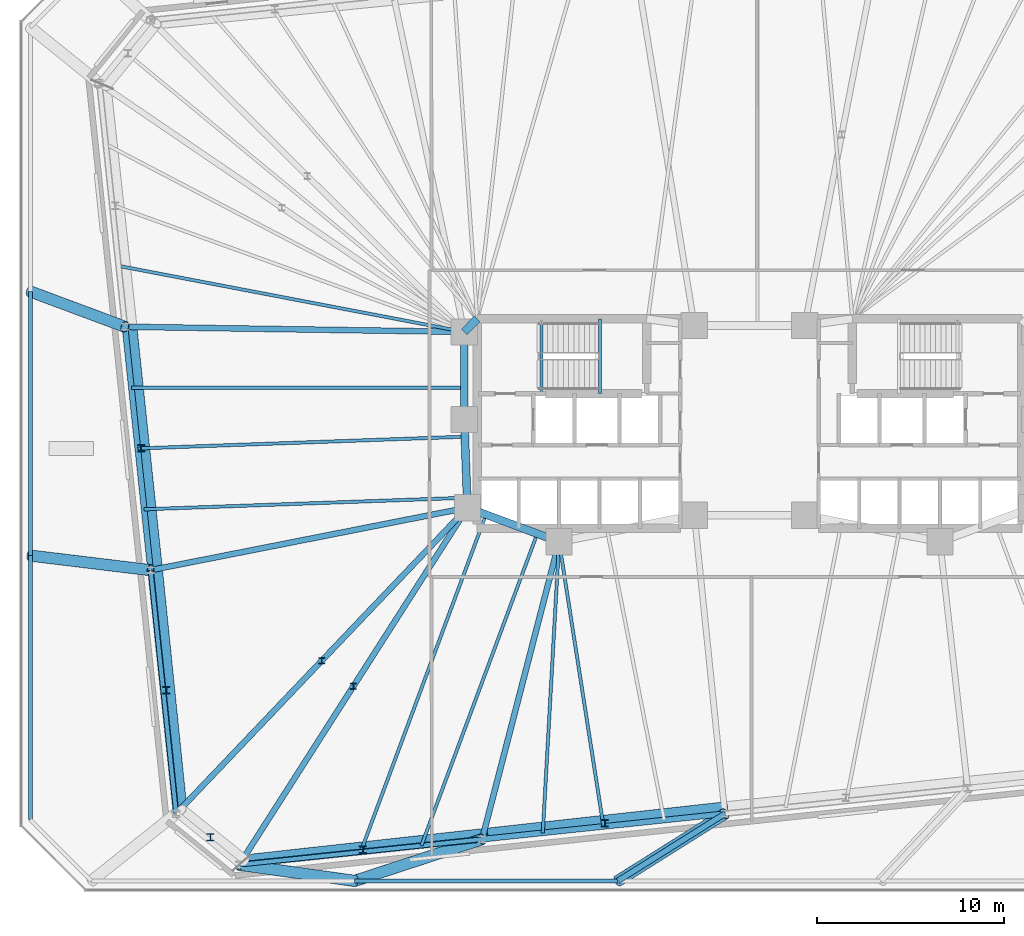
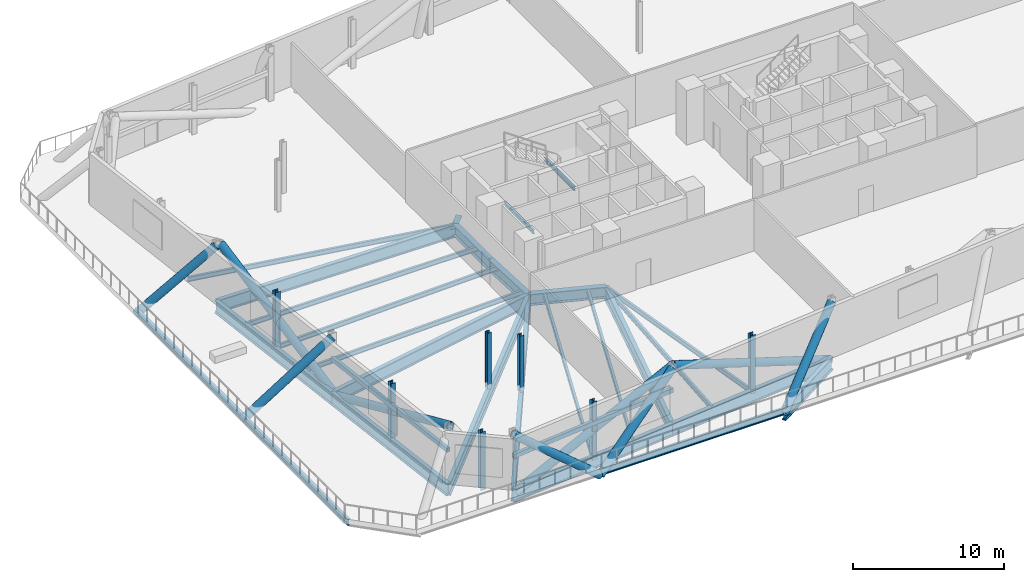
# One storey, part 6 of 17: 27 beams, 18 members.
"""IFC4 building model written with IfcOpenShell, lengths in metres."""

from ifc_helpers import new_model, si_unit, direction, frame, origin, origin_2d, place, context, subcontext, project, spatial, hollow_rectangle, hollow_circle, i_section, extrude, material, material_profile, profile_set, type_object, element, save


model = new_model("IFC4")

# Units and contexts
model_context = context("Model", 3, precision=1e-05, world=origin(), true_north=direction((0.0, 1.0)))
body_context = subcontext(model_context, "Body", "Model", "MODEL_VIEW")
ifc_project = project(units=[si_unit("LENGTHUNIT", "METRE"), si_unit("AREAUNIT", "SQUARE_METRE"), si_unit("VOLUMEUNIT", "CUBIC_METRE"), si_unit("PLANEANGLEUNIT", "RADIAN"), si_unit("MASSUNIT", "GRAM", prefix="KILO")], contexts=[model_context])

# Site, building, storey
site_placement = place(None, origin())
site = spatial("IfcSite", under=ifc_project, at=site_placement, CompositionType="ELEMENT")
building_placement = place(site_placement, origin())
building = spatial("IfcBuilding", under=site, at=building_placement, Name="Menara Jurai Vektor", CompositionType="ELEMENT")
storey_placement = place(building_placement, frame((0.0, 0.0, 78.800048828125)))
storey = spatial("IfcBuildingStorey", under=building, at=storey_placement, Name="L19", CompositionType="ELEMENT", Elevation=78.800048828125)

# Beams
ifc_material_1 = material(Name="Steel S355", Category="steel")
ifc_material_profile_1 = material_profile(ifc_material_1, i_section(OverallWidth=0.2109375, OverallDepth=0.5390625, WebThickness=0.011962890625, FlangeThickness=0.01904296875, FilletRadius=0.012939453125, at=origin_2d()), Name="UKB 533x210x109")
ifc_profile_set_1 = profile_set([ifc_material_profile_1], Name="Steel S355")
beam_type_1 = type_object("IfcBeamType", Name="STR-BM-533", PredefinedType="BEAM", material=ifc_profile_set_1)
beam_1_placement = place(storey_placement, frame((-21.106689453125, -24.449951171875, -0.674560546875), z_axis=(1.0, 0.0, 0.0), x_axis=(0.0, 1.0, 0.0)))
element("IfcBeam", 1, at=beam_1_placement, inside=storey, type_object=beam_type_1, Name="Step Terrace Edge Beam L19-02", PredefinedType="BEAM", context=body_context, shape_type="SweptSolid", body=[
    extrude(i_section(OverallWidth=0.2109375, OverallDepth=0.5390625, WebThickness=0.011962890625, FlangeThickness=0.01904296875, FilletRadius=0.012939453125, at=origin_2d()), origin(), (0.0, 0.0, 1.0), 14.071044921875),
])
beam_2_placement = place(storey_placement, frame((-38.449951171875, 7.059326171875, -0.674560546875), z_axis=(0.0, -1.0, 0.0), x_axis=(1.0, 0.0, 0.0)))
element("IfcBeam", 2, at=beam_2_placement, inside=storey, type_object=beam_type_1, Name="Step Terrace Edge Beam L19-18", PredefinedType="BEAM", context=body_context, shape_type="SweptSolid", body=[
    extrude(i_section(OverallWidth=0.2109375, OverallDepth=0.5390625, WebThickness=0.011962890625, FlangeThickness=0.01904296875, FilletRadius=0.012939453125, at=origin_2d()), origin(), (0.0, 0.0, 1.0), 14.11865234375),
])
beam_3_placement = place(storey_placement, frame((-38.449951171875, -7.059326171875, -0.674560546875), z_axis=(0.0, -1.0, 0.0), x_axis=(1.0, 0.0, 0.0)))
element("IfcBeam", 3, at=beam_3_placement, inside=storey, type_object=beam_type_1, Name="Step Terrace Edge Beam L19-19", PredefinedType="BEAM", context=body_context, shape_type="SweptSolid", body=[
    extrude(i_section(OverallWidth=0.2109375, OverallDepth=0.5390625, WebThickness=0.011962890625, FlangeThickness=0.01904296875, FilletRadius=0.012939453125, at=origin_2d()), origin(), (0.0, 0.0, 1.0), 14.118408203125),
])
ifc_material_2 = material(Name="Steel S460", Category="steel")
ifc_material_profile_2 = material_profile(ifc_material_2, i_section(OverallWidth=0.30908203125, OverallDepth=1.035888671875, WebThickness=0.030029296875, FlangeThickness=0.053955078125, FilletRadius=0.030029296875, at=origin_2d()), Name="UKB 1016x305x487")
ifc_profile_set_2 = profile_set([ifc_material_profile_2], Name="Steel S460")
beam_type_2 = type_object("IfcBeamType", Name="STR-BM-TR1016", PredefinedType="BEAM", material=ifc_profile_set_2)
beam_4_placement = place(storey_placement, frame((-27.2763671875, -23.586181640625, -0.923095703125), z_axis=(0.994521636083, 0.104530930169, 0.0), x_axis=(-0.104530930169, 0.994521636083, 0.0)))
element("IfcBeam", 4, at=beam_4_placement, inside=storey, type_object=beam_type_2, Name="Belt Truss Bottom Chord L19-01", PredefinedType="BEAM", context=body_context, shape_type="SweptSolid", body=[
    extrude(i_section(OverallWidth=0.30908203125, OverallDepth=1.035888671875, WebThickness=0.030029296875, FlangeThickness=0.053955078125, FilletRadius=0.030029296875, at=origin_2d()), origin(), (0.0, 0.0, 1.0), 13.05126953125),
])
beam_5_placement = place(storey_placement, frame((-27.2763671875, -23.586181640625, -0.923095703125), z_axis=(0.538462629542, 0.842649391258, 0.0), x_axis=(-0.842649391258, 0.538462629542, 0.0)))
element("IfcBeam", 5, at=beam_5_placement, inside=storey, type_object=beam_type_2, Name="Outrigger Transfer Girder L19-S1", PredefinedType="BEAM", context=body_context, shape_type="SweptSolid", body=[
    extrude(i_section(OverallWidth=0.30908203125, OverallDepth=1.035888671875, WebThickness=0.030029296875, FlangeThickness=0.053955078125, FilletRadius=0.030029296875, at=origin_2d()), origin(), (0.0, 0.0, 1.0), 22.650146484375),
])
beam_6_placement = place(storey_placement, frame((-14.296630859375, -22.221923828125, -0.923095703125), z_axis=(0.994523580592, 0.104512428191, 0.0), x_axis=(-0.104512428191, 0.994523580592, 0.0)))
element("IfcBeam", 6, at=beam_6_placement, inside=storey, type_object=beam_type_2, Name="Belt Truss Bottom Chord L19-02", PredefinedType="BEAM", context=body_context, shape_type="SweptSolid", body=[
    extrude(i_section(OverallWidth=0.30908203125, OverallDepth=1.035888671875, WebThickness=0.030029296875, FlangeThickness=0.053955078125, FilletRadius=0.030029296875, at=origin_2d()), origin(), (0.0, 0.0, 1.0), 13.05126953125),
])
beam_7_placement = place(storey_placement, frame((-14.296630859375, -22.221923828125, -0.923095703125), z_axis=(0.250619644892, 0.968085633399, 0.0), x_axis=(-0.968085633399, 0.250619644892, 0.0)))
element("IfcBeam", 7, at=beam_7_placement, inside=storey, type_object=beam_type_2, Name="Outrigger Transfer Girder L19-S2", PredefinedType="BEAM", context=body_context, shape_type="SweptSolid", body=[
    extrude(i_section(OverallWidth=0.30908203125, OverallDepth=1.035888671875, WebThickness=0.030029296875, FlangeThickness=0.053955078125, FilletRadius=0.030029296875, at=origin_2d()), origin(), (0.0, 0.0, 1.0), 16.426025390625),
])
beam_8_placement = place(storey_placement, frame((-7.03564453125, -24.449951171875, -0.923095703125), z_axis=(0.846810090059, 0.531895357541, 0.0), x_axis=(-0.531895357541, 0.846810090059, 0.0)))
element("IfcBeam", 8, at=beam_8_placement, inside=storey, type_object=beam_type_2, Name="Cantilever Transfer Girder L19-S3", PredefinedType="BEAM", context=body_context, shape_type="SweptSolid", body=[
    extrude(i_section(OverallWidth=0.30908203125, OverallDepth=1.035888671875, WebThickness=0.030029296875, FlangeThickness=0.053955078125, FilletRadius=0.030029296875, at=origin_2d()), origin(), (0.0, 0.0, 1.0), 6.753173828125),
])
beam_9_placement = place(storey_placement, frame((-33.38818359375, 5.175048828125, -0.923095703125), z_axis=(0.104521615846, -0.994522615037, 0.0), x_axis=(0.994522615037, 0.104521615846, 0.0)))
element("IfcBeam", 9, at=beam_9_placement, inside=storey, type_object=beam_type_2, Name="Belt Truss Bottom Chord L19-18", PredefinedType="BEAM", context=body_context, shape_type="SweptSolid", body=[
    extrude(i_section(OverallWidth=0.30908203125, OverallDepth=1.035888671875, WebThickness=0.030029296875, FlangeThickness=0.053955078125, FilletRadius=0.030029296875, at=origin_2d()), origin(), (0.0, 0.0, 1.0), 13.085205078125),
])
beam_10_placement = place(storey_placement, frame((-33.38818359375, 5.175048828125, -0.923095703125), z_axis=(0.999884963566, -0.015167716827, 0.0), x_axis=(0.015167716827, 0.999884963566, 0.0)))
element("IfcBeam", 10, at=beam_10_placement, inside=storey, type_object=beam_type_2, Name="Outrigger Transfer Girder L19-W2", PredefinedType="BEAM", context=body_context, shape_type="SweptSolid", body=[
    extrude(i_section(OverallWidth=0.30908203125, OverallDepth=1.035888671875, WebThickness=0.030029296875, FlangeThickness=0.053955078125, FilletRadius=0.030029296875, at=origin_2d()), origin(), (0.0, 0.0, 1.0), 18.140380859375),
])
beam_11_placement = place(storey_placement, frame((-32.0205078125, -7.83837890625, -0.923095703125), z_axis=(0.104519676409, -0.994522818865, 0.0), x_axis=(0.994522818865, 0.104519676409, 0.0)))
element("IfcBeam", 11, at=beam_11_placement, inside=storey, type_object=beam_type_2, Name="Belt Truss Bottom Chord L19-19", PredefinedType="BEAM", context=body_context, shape_type="SweptSolid", body=[
    extrude(i_section(OverallWidth=0.30908203125, OverallDepth=1.035888671875, WebThickness=0.030029296875, FlangeThickness=0.053955078125, FilletRadius=0.030029296875, at=origin_2d()), origin(), (0.0, 0.0, 1.0), 13.08544921875),
])
beam_12_placement = place(storey_placement, frame((-32.0205078125, -7.83837890625, -0.923095703125), z_axis=(0.98113039493, 0.193347221714, 0.0), x_axis=(-0.193347221714, 0.98113039493, 0.0)))
element("IfcBeam", 12, at=beam_12_placement, inside=storey, type_object=beam_type_2, Name="Outrigger Transfer Girder L19-W3", PredefinedType="BEAM", context=body_context, shape_type="SweptSolid", body=[
    extrude(i_section(OverallWidth=0.30908203125, OverallDepth=1.035888671875, WebThickness=0.030029296875, FlangeThickness=0.053955078125, FilletRadius=0.030029296875, at=origin_2d()), origin(), (0.0, 0.0, 1.0), 17.266357421875),
])
beam_13_placement = place(storey_placement, frame((-30.65283203125, -20.85205078125, -0.923095703125), z_axis=(0.689640593718, 0.724151815227, 0.0), x_axis=(-0.724151815227, 0.689640593718, 0.0)))
element("IfcBeam", 13, at=beam_13_placement, inside=storey, type_object=beam_type_2, Name="Outrigger Transfer Girder L19-W4", PredefinedType="BEAM", context=body_context, shape_type="SweptSolid", body=[
    extrude(i_section(OverallWidth=0.30908203125, OverallDepth=1.035888671875, WebThickness=0.030029296875, FlangeThickness=0.053955078125, FilletRadius=0.030029296875, at=origin_2d()), origin(), (0.0, 0.0, 1.0), 22.5810546875),
])
ifc_material_profile_3 = material_profile(ifc_material_2, i_section(OverallWidth=0.4208984375, OverallDepth=0.9208984375, WebThickness=0.02099609375, FlangeThickness=0.037109375, FilletRadius=0.02392578125, at=origin_2d()), Name="UKB 914x419x388")
ifc_profile_set_3 = profile_set([ifc_material_profile_3], Name="Steel S460")
beam_type_3 = type_object("IfcBeamType", Name="STR-BM-TR914", PredefinedType="BEAM", material=ifc_profile_set_3)
beam_14_placement = place(storey_placement, frame((-15.25, 4.89990234375, -0.865478515625), z_axis=(0.701871936926, 0.712303154672, 0.0), x_axis=(-0.712303154672, 0.701871936926, 0.0)))
element("IfcBeam", 14, at=beam_14_placement, inside=storey, type_object=beam_type_3, Name="Core Ring Header Girder L19-CHW-N1", PredefinedType="BEAM", context=body_context, shape_type="SweptSolid", body=[
    extrude(i_section(OverallWidth=0.4208984375, OverallDepth=0.9208984375, WebThickness=0.02099609375, FlangeThickness=0.037109375, FilletRadius=0.02392578125, at=origin_2d()), origin(), (0.0, 0.0, 1.0), 0.98291015625),
])
beam_15_placement = place(storey_placement, frame((-15.25, 0.219970703125, -0.865478515625), z_axis=(0.0, 1.0, 0.0), x_axis=(-1.0, 0.0, 0.0)))
element("IfcBeam", 15, at=beam_15_placement, inside=storey, type_object=beam_type_3, Name="Core Ring Header Girder L19-CHW-W1", PredefinedType="BEAM", context=body_context, shape_type="SweptSolid", body=[
    extrude(i_section(OverallWidth=0.4208984375, OverallDepth=0.9208984375, WebThickness=0.02099609375, FlangeThickness=0.037109375, FilletRadius=0.02392578125, at=origin_2d()), origin(), (0.0, 0.0, 1.0), 4.679931640625),
])
beam_16_placement = place(storey_placement, frame((-15.080078125, -4.5, -0.865478515625), z_axis=(-0.035977314146, 0.999352606874, 0.0), x_axis=(-0.999352606874, -0.035977314146, 0.0)))
element("IfcBeam", 16, at=beam_16_placement, inside=storey, type_object=beam_type_3, Name="Core Ring Header Girder L19-CHW-W2", PredefinedType="BEAM", context=body_context, shape_type="SweptSolid", body=[
    extrude(i_section(OverallWidth=0.4208984375, OverallDepth=0.9208984375, WebThickness=0.02099609375, FlangeThickness=0.037109375, FilletRadius=0.02392578125, at=origin_2d()), origin(), (0.0, 0.0, 1.0), 4.72314453125),
])
beam_17_placement = place(storey_placement, frame((-15.080078125, -4.5, -0.865478515625), z_axis=(0.937424400887, -0.348188874925, 0.0), x_axis=(0.348188874925, 0.937424400887, 0.0)))
element("IfcBeam", 17, at=beam_17_placement, inside=storey, type_object=beam_type_3, Name="Core Ring Header Girder L19-CHW-S1", PredefinedType="BEAM", context=body_context, shape_type="SweptSolid", body=[
    extrude(i_section(OverallWidth=0.4208984375, OverallDepth=0.9208984375, WebThickness=0.02099609375, FlangeThickness=0.037109375, FilletRadius=0.02392578125, at=origin_2d()), origin(), (0.0, 0.0, 1.0), 5.227294921875),
])

# Members
ifc_material_profile_4 = material_profile(ifc_material_2, hollow_circle(Radius=0.304931640625, WallThickness=0.02490234375, at=origin_2d()), Name="CHS 610x25")
ifc_profile_set_4 = profile_set([ifc_material_profile_4], Name="Steel S460")
member_type_1 = type_object("IfcMemberType", Name="STR-BR-610", PredefinedType="BRACE", material=ifc_profile_set_4)
member_1_placement = place(storey_placement, frame((-27.01904296875, -23.364013671875, -0.923095703125), z_axis=(0.929714138691, 0.102311609781, 0.353785181743), x_axis=(-0.109385960252, 0.993999351961, 0.0)))
element("IfcMember", 18, at=member_1_placement, inside=storey, type_object=member_type_1, Name="Belt Truss Web Diagonal L19-01", PredefinedType="BRACE", context=body_context, shape_type="SweptSolid", body=[
    extrude(hollow_circle(Radius=0.304931640625, WallThickness=0.02490234375, at=origin_2d()), origin(), (0.0, 0.0, 1.0), 13.892822265625),
])
member_2_placement = place(storey_placement, frame((-1.2578125, -20.52294921875, -0.923095703125), z_axis=(-0.92902494566, -0.102679567008, 0.355484960105), x_axis=(0.109855081076, -0.993947614898, 0.0)))
element("IfcMember", 19, at=member_2_placement, inside=storey, type_object=member_type_1, Name="Belt Truss Web Diagonal L19-02", PredefinedType="BRACE", context=body_context, shape_type="SweptSolid", body=[
    extrude(hollow_circle(Radius=0.304931640625, WallThickness=0.02490234375, at=origin_2d()), origin(), (0.0, 0.0, 1.0), 13.826171875),
])
member_3_placement = place(storey_placement, frame((-31.6943359375, -7.742431640625, -0.923095703125), z_axis=(-0.097739713825, 0.929918531317, 0.354539805175), x_axis=(-0.994521746641, -0.104529878302, 0.0)))
element("IfcMember", 20, at=member_3_placement, inside=storey, type_object=member_type_1, Name="Belt Truss Web Diagonal L19-18", PredefinedType="BRACE", context=body_context, shape_type="SweptSolid", body=[
    extrude(hollow_circle(Radius=0.304931640625, WallThickness=0.02490234375, at=origin_2d()), origin(), (0.0, 0.0, 1.0), 13.863037109375),
])
member_4_placement = place(storey_placement, frame((-31.6943359375, -7.742431640625, -0.923095703125), z_axis=(0.095144096104, -0.930372083564, 0.354055627128), x_axis=(0.994811639193, 0.101733979208, 0.0)))
element("IfcMember", 21, at=member_4_placement, inside=storey, type_object=member_type_1, Name="Belt Truss Web Diagonal L19-19", PredefinedType="BRACE", context=body_context, shape_type="SweptSolid", body=[
    extrude(hollow_circle(Radius=0.304931640625, WallThickness=0.02490234375, at=origin_2d()), origin(), (0.0, 0.0, 1.0), 13.882080078125),
])
ifc_material_profile_5 = material_profile(ifc_material_2, hollow_rectangle(XDim=0.25, YDim=0.35009765625, WallThickness=0.012451171875, at=origin_2d()), Name="RHS 350x250x12.5")
ifc_profile_set_5 = profile_set([ifc_material_profile_5], Name="Steel S460")
member_type_2 = type_object("IfcMemberType", Name="STR-CH-RHS350", PredefinedType="CHORD", material=ifc_profile_set_5)
member_5_placement = place(storey_placement, frame((-27.2763671875, -23.586181640625, 2.2548828125), z_axis=(0.994521636083, 0.104530930169, 0.0), x_axis=(-0.104530930169, 0.994521636083, 0.0)))
element("IfcMember", 22, at=member_5_placement, inside=storey, type_object=member_type_2, Name="Belt Truss Mid Chord L19-01", PredefinedType="CHORD", context=body_context, shape_type="SweptSolid", body=[
    extrude(hollow_rectangle(XDim=0.25, YDim=0.35009765625, WallThickness=0.012451171875, at=origin_2d()), origin(), (0.0, 0.0, 1.0), 13.05126953125),
])
member_6_placement = place(storey_placement, frame((-32.0205078125, -7.83837890625, 2.2548828125), z_axis=(0.104519676409, -0.994522818865, 0.0), x_axis=(0.994522818865, 0.104519676409, 0.0)))
element("IfcMember", 23, at=member_6_placement, inside=storey, type_object=member_type_2, Name="Belt Truss Mid Chord L19-19", PredefinedType="CHORD", context=body_context, shape_type="SweptSolid", body=[
    extrude(hollow_rectangle(XDim=0.25, YDim=0.35009765625, WallThickness=0.012451171875, at=origin_2d()), origin(), (0.0, 0.0, 1.0), 13.08544921875),
])

# Beams
ifc_material_profile_6 = material_profile(ifc_material_1, i_section(OverallWidth=0.175048828125, OverallDepth=0.3798828125, WebThickness=0.010009765625, FlangeThickness=0.014892578125, at=origin_2d()), Name="PG 380x175x58")
ifc_profile_set_6 = profile_set([ifc_material_profile_6], Name="Steel S355")
beam_type_4 = type_object("IfcBeamType", Name="STR-JS-380", PredefinedType="JOIST", material=ifc_profile_set_6)
beam_18_placement = place(storey_placement, frame((-20.78662109375, -22.904052734375, -0.594970703125), z_axis=(0.34819162731, 0.93742337856, 0.0), x_axis=(-0.93742337856, 0.34819162731, 0.0)))
element("IfcBeam", 24, at=beam_18_placement, inside=storey, type_object=beam_type_4, Name="Radial Secondary Floor Joist L19-JS01", PredefinedType="JOIST", context=body_context, shape_type="SweptSolid", body=[
    extrude(i_section(OverallWidth=0.175048828125, OverallDepth=0.3798828125, WebThickness=0.010009765625, FlangeThickness=0.014892578125, at=origin_2d()), origin(), (0.0, 0.0, 1.0), 19.2392578125),
])
beam_19_placement = place(storey_placement, frame((-17.54150390625, -22.56298828125, -0.594970703125), z_axis=(0.348184462185, 0.937426039906, 0.0), x_axis=(-0.937426039906, 0.348184462185, 0.0)))
element("IfcBeam", 25, at=beam_19_placement, inside=storey, type_object=beam_type_4, Name="Radial Secondary Floor Joist L19-JS02", PredefinedType="JOIST", context=body_context, shape_type="SweptSolid", body=[
    extrude(i_section(OverallWidth=0.175048828125, OverallDepth=0.3798828125, WebThickness=0.010009765625, FlangeThickness=0.014892578125, at=origin_2d()), origin(), (0.0, 0.0, 1.0), 17.789794921875),
])
beam_20_placement = place(storey_placement, frame((-11.0517578125, -21.880859375, -0.594970703125), z_axis=(0.055939382302, 0.998434166837, 0.0), x_axis=(-0.998434166837, 0.055939382302, 0.0)))
element("IfcBeam", 26, at=beam_20_placement, inside=storey, type_object=beam_type_4, Name="Radial Secondary Floor Joist L19-JS03", PredefinedType="JOIST", context=body_context, shape_type="SweptSolid", body=[
    extrude(i_section(OverallWidth=0.175048828125, OverallDepth=0.3798828125, WebThickness=0.010009765625, FlangeThickness=0.014892578125, at=origin_2d()), origin(), (0.0, 0.0, 1.0), 15.585205078125),
])
beam_21_placement = place(storey_placement, frame((-7.806884765625, -21.539794921875, -0.594970703125), z_axis=(-0.154057765645, 0.988061842622, 0.0), x_axis=(-0.988061842622, -0.154057765645, 0.0)))
element("IfcBeam", 27, at=beam_21_placement, inside=storey, type_object=beam_type_4, Name="Radial Secondary Floor Joist L19-JS04", PredefinedType="JOIST", context=body_context, shape_type="SweptSolid", body=[
    extrude(i_section(OverallWidth=0.175048828125, OverallDepth=0.3798828125, WebThickness=0.010009765625, FlangeThickness=0.014892578125, at=origin_2d()), origin(), (0.0, 0.0, 1.0), 15.403564453125),
])
beam_22_placement = place(storey_placement, frame((-33.730224609375, 8.428466796875, -0.594970703125), z_axis=(0.982255215221, -0.187549172674, 0.0), x_axis=(0.187549172674, 0.982255215221, 0.0)))
element("IfcBeam", 28, at=beam_22_placement, inside=storey, type_object=beam_type_4, Name="Radial Secondary Floor Joist L19-JS38", PredefinedType="JOIST", context=body_context, shape_type="SweptSolid", body=[
    extrude(i_section(OverallWidth=0.175048828125, OverallDepth=0.3798828125, WebThickness=0.010009765625, FlangeThickness=0.014892578125, at=origin_2d()), origin(), (0.0, 0.0, 1.0), 18.81396484375),
])
beam_23_placement = place(storey_placement, frame((-33.04638671875, 1.921630859375, -0.594970703125), z_axis=(1.0, 0.0, 0.0), x_axis=(0.0, 1.0, 0.0)))
element("IfcBeam", 29, at=beam_23_placement, inside=storey, type_object=beam_type_4, Name="Radial Secondary Floor Joist L19-JS39", PredefinedType="JOIST", context=body_context, shape_type="SweptSolid", body=[
    extrude(i_section(OverallWidth=0.175048828125, OverallDepth=0.3798828125, WebThickness=0.010009765625, FlangeThickness=0.014892578125, at=origin_2d()), origin(), (0.0, 0.0, 1.0), 17.79638671875),
])
beam_24_placement = place(storey_placement, frame((-32.704345703125, -1.331787109375, -0.594970703125), z_axis=(0.999351948809, 0.035995588769, 0.0), x_axis=(-0.035995588769, 0.999351948809, 0.0)))
element("IfcBeam", 30, at=beam_24_placement, inside=storey, type_object=beam_type_4, Name="Radial Secondary Floor Joist L19-JS40", PredefinedType="JOIST", context=body_context, shape_type="SweptSolid", body=[
    extrude(i_section(OverallWidth=0.175048828125, OverallDepth=0.3798828125, WebThickness=0.010009765625, FlangeThickness=0.014892578125, at=origin_2d()), origin(), (0.0, 0.0, 1.0), 17.498779296875),
])
beam_25_placement = place(storey_placement, frame((-32.362548828125, -4.5849609375, -0.594970703125), z_axis=(0.999352405578, 0.03598290517, 0.0), x_axis=(-0.03598290517, 0.999352405578, 0.0)))
element("IfcBeam", 31, at=beam_25_placement, inside=storey, type_object=beam_type_4, Name="Radial Secondary Floor Joist L19-JS41", PredefinedType="JOIST", context=body_context, shape_type="SweptSolid", body=[
    extrude(i_section(OverallWidth=0.175048828125, OverallDepth=0.3798828125, WebThickness=0.010009765625, FlangeThickness=0.014892578125, at=origin_2d()), origin(), (0.0, 0.0, 1.0), 17.2744140625),
])
ifc_material_profile_7 = material_profile(ifc_material_1, i_section(OverallWidth=0.1650390625, OverallDepth=0.302978515625, WebThickness=0.006103515625, FlangeThickness=0.010009765625, FilletRadius=0.009033203125, at=origin_2d()), Name="UKB 305x165x40")
ifc_profile_set_7 = profile_set([ifc_material_profile_7], Name="Steel S355")
beam_type_5 = type_object("IfcBeamType", Name="STR-LN-305", PredefinedType="LINTEL", material=ifc_profile_set_7)
beam_26_placement = place(storey_placement, frame((-11.1201171875, 1.60009765625, -0.556640625), z_axis=(0.0, 1.0, 0.0), x_axis=(-1.0, 0.0, 0.0)))
element("IfcBeam", 32, at=beam_26_placement, inside=storey, type_object=beam_type_5, Name="Stair Well Floor Trimmer ST1 L19", PredefinedType="LINTEL", context=body_context, shape_type="SweptSolid", body=[
    extrude(i_section(OverallWidth=0.1650390625, OverallDepth=0.302978515625, WebThickness=0.006103515625, FlangeThickness=0.010009765625, FilletRadius=0.009033203125, at=origin_2d()), origin(), (0.0, 0.0, 1.0), 3.81982421875),
])
beam_27_placement = place(storey_placement, frame((-7.989990234375, 1.60009765625, 1.848388671875), z_axis=(0.0, 1.0, 0.0), x_axis=(-1.0, 0.0, 0.0)))
element("IfcBeam", 33, at=beam_27_placement, inside=storey, type_object=beam_type_5, Name="Stair Half-Landing Nosing Trimmer ST1-1 L19", PredefinedType="LINTEL", context=body_context, shape_type="SweptSolid", body=[
    extrude(i_section(OverallWidth=0.1650390625, OverallDepth=0.302978515625, WebThickness=0.006103515625, FlangeThickness=0.010009765625, FilletRadius=0.009033203125, at=origin_2d()), origin(), (0.0, 0.0, 1.0), 4.0),
])

# Members
ifc_material_profile_8 = material_profile(ifc_material_2, i_section(OverallWidth=0.31103515625, OverallDepth=0.326904296875, WebThickness=0.01611328125, FlangeThickness=0.02490234375, FilletRadius=0.014892578125, at=origin_2d()), Name="UKC 305x305x158")
ifc_profile_set_8 = profile_set([ifc_material_profile_8], Name="Steel S460")
member_type_3 = type_object("IfcMemberType", Name="STR-POST-305", PredefinedType="POST", material=ifc_profile_set_8)
for number, where, z_axis, x_axis, name in (
    (34, (-21.177978515625, -14.043212890625, -0.405029296875), (0.0, 0.0, 1.0), (1.0, 0.0, 0.0), "Girder Hanger L19-S1"),
    (35, (-22.866455078125, -12.676025390625, -0.405029296875), (0.0, 0.0, 1.0), (1.0, 0.0, 0.0), "Girder Hanger L19-W4"),
):
    element("IfcMember", number, at=place(storey_placement, frame(where, z_axis=z_axis, x_axis=x_axis)), inside=storey, type_object=member_type_3, Name=name, PredefinedType="POST", context=body_context, shape_type="SweptSolid", body=[
        extrude(i_section(OverallWidth=0.31103515625, OverallDepth=0.326904296875, WebThickness=0.01611328125, FlangeThickness=0.02490234375, FilletRadius=0.014892578125, at=origin_2d()), origin(), (0.0, 0.0, 1.0), 4.554931640625),
    ])
ifc_material_profile_9 = material_profile(ifc_material_2, i_section(OverallWidth=0.375, OverallDepth=0.375, WebThickness=0.01708984375, FlangeThickness=0.027099609375, FilletRadius=0.014892578125, at=origin_2d()), Name="UKC 356x368x202")
ifc_profile_set_9 = profile_set([ifc_material_profile_9], Name="Steel S460")
member_type_4 = type_object("IfcMemberType", Name="STR-POST-368", PredefinedType="POST", material=ifc_profile_set_9)
for number, where, z_axis, x_axis, name in (
    (36, (-20.663818359375, -22.7724609375, -0.755126953125), (0.0, 0.0, 1.0), (1.0, 0.0, 0.0), "Belt Truss Vertical Web Post L19-01"),
    (37, (-7.73388671875, -21.375244140625, -0.755126953125), (0.0, 0.0, 1.0), (1.0, 0.0, 0.0), "Belt Truss Vertical Web Post L19-02"),
    (38, (-32.525390625, -1.31298828125, -0.755126953125), (0.0, 0.0, 1.0), (1.0, 0.0, 0.0), "Belt Truss Vertical Web Post L19-18"),
    (39, (-31.175048828125, -14.265869140625, -0.755126953125), (0.0, 0.0, 1.0), (1.0, 0.0, 0.0), "Belt Truss Vertical Web Post L19-19"),
    (40, (-28.822265625, -22.10888671875, -0.755126953125), (0.0, 0.0, 1.0), (1.0, 0.0, 0.0), "Belt Truss Vertical Web Post L19-20"),
):
    element("IfcMember", number, at=place(storey_placement, frame(where, z_axis=z_axis, x_axis=x_axis)), inside=storey, type_object=member_type_4, Name=name, PredefinedType="POST", context=body_context, shape_type="SweptSolid", body=[
        extrude(i_section(OverallWidth=0.375, OverallDepth=0.375, WebThickness=0.01708984375, FlangeThickness=0.027099609375, FilletRadius=0.014892578125, at=origin_2d()), origin(), (0.0, 0.0, 1.0), 4.705078125),
    ])
ifc_material_profile_10 = material_profile(ifc_material_2, hollow_circle(Radius=0.304931640625, WallThickness=0.02490234375, at=origin_2d()), Name="CHS 610x25")
ifc_profile_set_10 = profile_set([ifc_material_profile_10], Name="Steel S460")
member_type_5 = type_object("IfcMemberType", Name="STR-ST-610", PredefinedType="STRUT", material=ifc_profile_set_10)
member_7_placement = place(storey_placement, frame((-21.106689453125, -24.449951171875, -0.923095703125), z_axis=(-0.777499927238, 0.108851835803, 0.619390943578), x_axis=(-0.138650150665, -0.990341423813, 0.0)))
element("IfcMember", 41, at=member_7_placement, inside=storey, type_object=member_type_5, Name="Transfer Outrigger Strut L19-S1", PredefinedType="STRUT", context=body_context, shape_type="SweptSolid", body=[
    extrude(hollow_circle(Radius=0.304931640625, WallThickness=0.02490234375, at=origin_2d()), origin(), (0.0, 0.0, 1.0), 7.935302734375),
])
member_8_placement = place(storey_placement, frame((-21.106689453125, -24.449951171875, -0.923095703125), z_axis=(0.783756873057, 0.256419488905, 0.565662628822), x_axis=(-0.310948408452, 0.950426792173, 0.0)))
element("IfcMember", 42, at=member_8_placement, inside=storey, type_object=member_type_5, Name="Transfer Outrigger Strut L19-S2", PredefinedType="STRUT", context=body_context, shape_type="SweptSolid", body=[
    extrude(hollow_circle(Radius=0.304931640625, WallThickness=0.02490234375, at=origin_2d()), origin(), (0.0, 0.0, 1.0), 8.68896484375),
])
member_9_placement = place(storey_placement, frame((-7.03564453125, -24.449951171875, -0.923095703125), z_axis=(0.684650067225, 0.430087567312, 0.588454730537), x_axis=(-0.531937564166, 0.846783577916, 0.0)))
element("IfcMember", 43, at=member_9_placement, inside=storey, type_object=member_type_5, Name="Transfer Outrigger Strut L19-S3", PredefinedType="STRUT", context=body_context, shape_type="SweptSolid", body=[
    extrude(hollow_circle(Radius=0.304931640625, WallThickness=0.02490234375, at=origin_2d()), origin(), (0.0, 0.0, 1.0), 8.3525390625),
])
member_10_placement = place(storey_placement, frame((-38.449951171875, 7.059326171875, -0.923095703125), z_axis=(0.693117953412, -0.258030308915, 0.673058587598), x_axis=(0.348883299031, 0.937166177184, 0.0)))
element("IfcMember", 44, at=member_10_placement, inside=storey, type_object=member_type_5, Name="Transfer Outrigger Strut L19-W2", PredefinedType="STRUT", context=body_context, shape_type="SweptSolid", body=[
    extrude(hollow_circle(Radius=0.304931640625, WallThickness=0.02490234375, at=origin_2d()), origin(), (0.0, 0.0, 1.0), 7.302490234375),
])
member_11_placement = place(storey_placement, frame((-38.449951171875, -7.059326171875, -0.923095703125), z_axis=(0.790797293954, -0.095820549269, 0.604531274801), x_axis=(0.120289713571, 0.99273883011, 0.0)))
element("IfcMember", 45, at=member_11_placement, inside=storey, type_object=member_type_5, Name="Transfer Outrigger Strut L19-W3", PredefinedType="STRUT", context=body_context, shape_type="SweptSolid", body=[
    extrude(hollow_circle(Radius=0.304931640625, WallThickness=0.02490234375, at=origin_2d()), origin(), (0.0, 0.0, 1.0), 8.13037109375),
])

save(model, "model.ifc")
